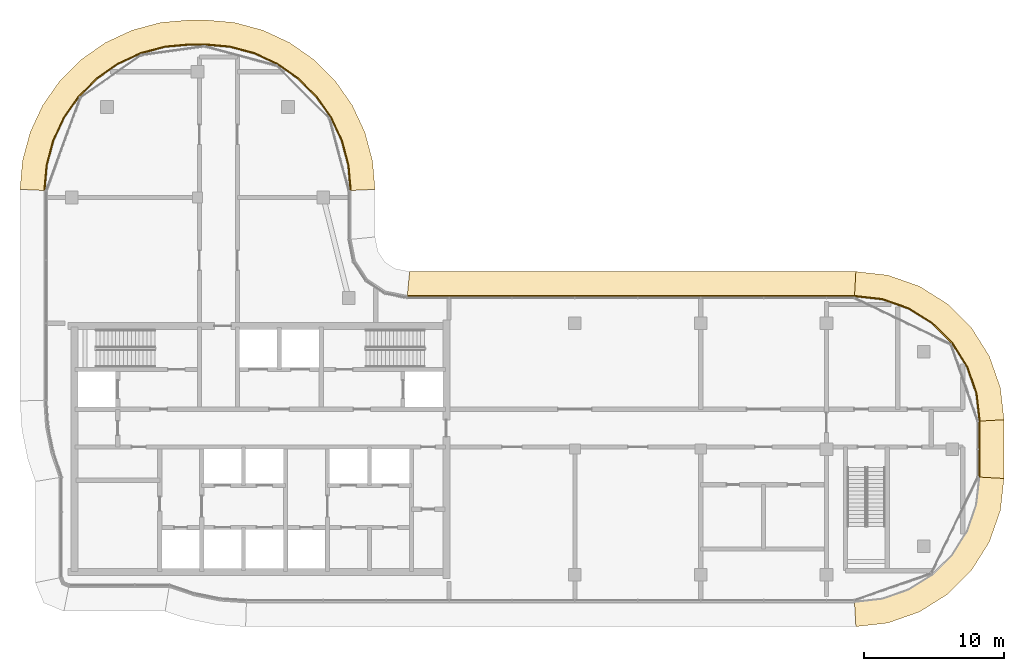
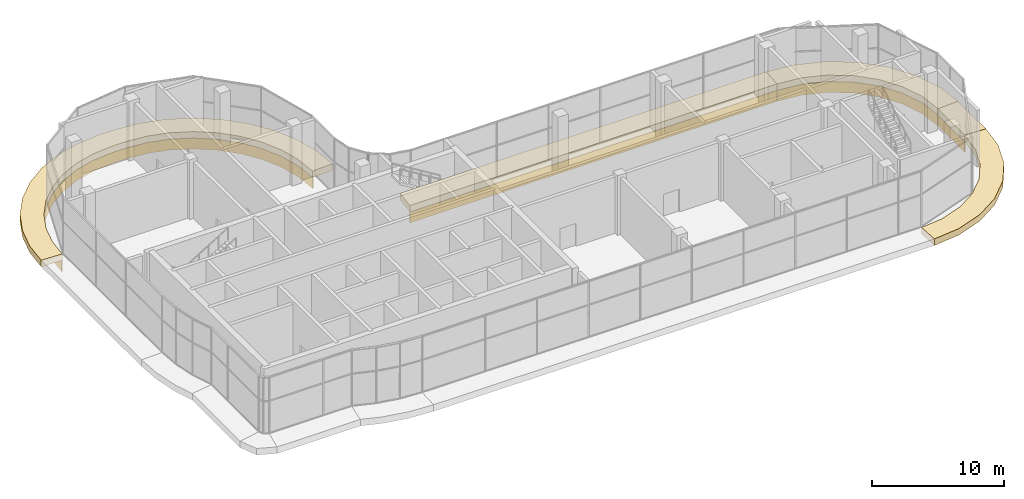
# One storey, part 23 of 23: 9 coverings.
"""IFC4 building model written with IfcOpenShell, lengths in metres."""

from ifc_helpers import new_model, si_unit, direction, frame, origin, place, context, subcontext, project, spatial, polyline, outline, extrude, material, layer, layer_set, type_object, element, save


model = new_model("IFC4")

# Units and contexts
model_context = context("Model", 3, precision=1e-05, world=origin(), true_north=direction((0.0, 1.0)))
body_context = subcontext(model_context, "Body", "Model", "MODEL_VIEW")
ifc_project = project(units=[si_unit("LENGTHUNIT", "METRE"), si_unit("AREAUNIT", "SQUARE_METRE"), si_unit("VOLUMEUNIT", "CUBIC_METRE"), si_unit("PLANEANGLEUNIT", "RADIAN"), si_unit("MASSUNIT", "GRAM", prefix="KILO")], contexts=[model_context])

# Site, building, storey
site_placement = place(None, origin())
site = spatial("IfcSite", under=ifc_project, at=site_placement, CompositionType="ELEMENT")
building_placement = place(site_placement, origin())
building = spatial("IfcBuilding", under=site, at=building_placement, Name="Ogive Portal Towers", CompositionType="ELEMENT")
storey_placement = place(building_placement, frame((0.0, 0.0, 249.39990234375)))
storey = spatial("IfcBuildingStorey", under=building, at=storey_placement, Name="L62", CompositionType="ELEMENT", Elevation=249.39990234375)

# Coverings
ifc_material = material(Name="Limestone cladding on lightweight block wall", Category="masonry")
ifc_layer_1 = layer(ifc_material, 0.080078125)
ifc_layer_set_1 = layer_set([ifc_layer_1], Name="STONE SPANDREL 80")
covering_type_1 = type_object("IfcCoveringType", Name="STONE SPANDREL 80", PredefinedType="CLADDING", material=ifc_layer_set_1)
covering_1_placement = place(storey_placement, frame((0.0, 0.0, -1.599853515625)))
element("IfcCovering", 1, at=covering_1_placement, inside=storey, type_object=covering_type_1, Name="Stone spandrel A1-F07", PredefinedType="CLADDING", context=body_context, shape_type="SweptSolid", body=[
    extrude(outline(polyline([(96.39990234375, 28.5), (96.39990234375, 32.5), (96.47998046875, 32.50439453125), (96.47998046875, 28.49560546875), (96.39990234375, 28.5)])), origin(), (0.0, 0.0, 1.0), 1.0),
])
covering_2_placement = place(storey_placement, frame((0.0, 0.0, -1.599853515625)))
element("IfcCovering", 2, at=covering_2_placement, inside=storey, type_object=covering_type_1, Name="Stone spandrel A1-F08", PredefinedType="CLADDING", context=body_context, shape_type="SweptSolid", body=[
    extrude(outline(polyline([(96.39990234375, 32.5), (96.1767578125, 34.48046875), (95.5185546875, 36.361572265625), (94.458251953125, 38.049072265625), (93.049072265625, 39.458251953125), (91.361572265625, 40.5185546875), (89.48046875, 41.1767578125), (87.5, 41.39990234375), (87.50439453125, 41.47998046875), (89.498291015625, 41.25537109375), (91.396484375, 40.591064453125), (93.099365234375, 39.521240234375), (94.521240234375, 38.099365234375), (95.591064453125, 36.396484375), (96.25537109375, 34.498291015625), (96.47998046875, 32.50439453125), (96.39990234375, 32.5)])), origin(), (0.0, 0.0, 1.0), 1.0),
])
covering_3_placement = place(storey_placement, frame((0.0, 0.0, -1.599853515625)))
element("IfcCovering", 3, at=covering_3_placement, inside=storey, type_object=covering_type_1, Name="Stone spandrel A1-F09", PredefinedType="CLADDING", context=body_context, shape_type="SweptSolid", body=[
    extrude(outline(polyline([(87.5, 41.39990234375), (55.5, 41.39990234375), (55.5078125, 41.47998046875), (87.50439453125, 41.47998046875), (87.5, 41.39990234375)])), origin(), (0.0, 0.0, 1.0), 1.0),
])
covering_4_placement = place(storey_placement, frame((0.0, 0.0, -1.599853515625)))
element("IfcCovering", 4, at=covering_4_placement, inside=storey, type_object=covering_type_1, Name="Stone spandrel A1-F12", PredefinedType="CLADDING", context=body_context, shape_type="SweptSolid", body=[
    extrude(outline(polyline([(51.39990234375, 49.0), (51.241943359375, 50.805908203125), (50.772705078125, 52.55712890625), (50.006591796875, 54.199951171875), (48.966796875, 55.68505859375), (47.68505859375, 56.966796875), (46.199951171875, 58.006591796875), (44.55712890625, 58.772705078125), (42.805908203125, 59.241943359375), (41.0, 59.39990234375), (40.0, 59.39990234375), (38.194091796875, 59.241943359375), (36.44287109375, 58.772705078125), (34.800048828125, 58.006591796875), (33.31494140625, 56.966796875), (32.033203125, 55.68505859375), (30.993408203125, 54.199951171875), (30.227294921875, 52.55712890625), (29.758056640625, 50.805908203125), (29.60009765625, 49.0), (29.52001953125, 49.00341796875), (29.678955078125, 50.81982421875), (30.15185546875, 52.58447265625), (30.923828125, 54.240234375), (31.9716796875, 55.736572265625), (33.263427734375, 57.0283203125), (34.759765625, 58.076171875), (36.41552734375, 58.84814453125), (38.18017578125, 59.321044921875), (39.99658203125, 59.47998046875), (41.00341796875, 59.47998046875), (42.81982421875, 59.321044921875), (44.58447265625, 58.84814453125), (46.240234375, 58.076171875), (47.736572265625, 57.0283203125), (49.0283203125, 55.736572265625), (50.076171875, 54.240234375), (50.84814453125, 52.58447265625), (51.321044921875, 50.81982421875), (51.47998046875, 49.00341796875), (51.39990234375, 49.0)])), origin(), (0.0, 0.0, 1.0), 1.0),
])
ifc_layer_2 = layer(ifc_material, 0.60009765625)
ifc_layer_set_2 = layer_set([ifc_layer_2], Name="SUNSHADE LIP 600")
covering_type_2 = type_object("IfcCoveringType", Name="SUNSHADE LIP 600", PredefinedType="CLADDING", material=ifc_layer_set_2)
covering_5_placement = place(storey_placement, frame((0.0, 0.0, -0.599853515625)))
element("IfcCovering", 5, at=covering_5_placement, inside=storey, type_object=covering_type_2, Name="Sunshade lip A1-F06", PredefinedType="CLADDING", context=body_context, shape_type="SweptSolid", body=[
    extrude(outline(polyline([(87.5, 19.60009765625), (89.48046875, 19.8232421875), (91.361572265625, 20.4814453125), (93.049072265625, 21.541748046875), (94.458251953125, 22.950927734375), (95.5185546875, 24.638427734375), (96.1767578125, 26.51953125), (96.39990234375, 28.5), (98.199951171875, 28.39892578125), (97.94287109375, 26.116455078125), (97.150634765625, 23.8525390625), (95.87451171875, 21.821533203125), (94.178466796875, 20.12548828125), (92.1474609375, 18.849365234375), (89.883544921875, 18.05712890625), (87.60107421875, 17.800048828125), (87.5, 19.60009765625)])), origin(), (0.0, 0.0, 1.0), 0.599853515625),
])
covering_6_placement = place(storey_placement, frame((0.0, 0.0, -0.599853515625)))
element("IfcCovering", 6, at=covering_6_placement, inside=storey, type_object=covering_type_2, Name="Sunshade lip A1-F07", PredefinedType="CLADDING", context=body_context, shape_type="SweptSolid", body=[
    extrude(outline(polyline([(96.39990234375, 28.5), (96.39990234375, 32.5), (98.199951171875, 32.60107421875), (98.199951171875, 28.39892578125), (96.39990234375, 28.5)])), origin(), (0.0, 0.0, 1.0), 0.599853515625),
])
covering_7_placement = place(storey_placement, frame((0.0, 0.0, -0.599853515625)))
element("IfcCovering", 7, at=covering_7_placement, inside=storey, type_object=covering_type_2, Name="Sunshade lip A1-F08", PredefinedType="CLADDING", context=body_context, shape_type="SweptSolid", body=[
    extrude(outline(polyline([(96.39990234375, 32.5), (96.1767578125, 34.48046875), (95.5185546875, 36.361572265625), (94.458251953125, 38.049072265625), (93.049072265625, 39.458251953125), (91.361572265625, 40.5185546875), (89.48046875, 41.1767578125), (87.5, 41.39990234375), (87.60107421875, 43.199951171875), (89.883544921875, 42.94287109375), (92.1474609375, 42.150634765625), (94.178466796875, 40.87451171875), (95.87451171875, 39.178466796875), (97.150634765625, 37.1474609375), (97.94287109375, 34.883544921875), (98.199951171875, 32.60107421875), (96.39990234375, 32.5)])), origin(), (0.0, 0.0, 1.0), 0.599853515625),
])
covering_8_placement = place(storey_placement, frame((0.0, 0.0, -0.599853515625)))
element("IfcCovering", 8, at=covering_8_placement, inside=storey, type_object=covering_type_2, Name="Sunshade lip A1-F09", PredefinedType="CLADDING", context=body_context, shape_type="SweptSolid", body=[
    extrude(outline(polyline([(87.5, 41.39990234375), (55.5, 41.39990234375), (55.67724609375, 43.199951171875), (87.60107421875, 43.199951171875), (87.5, 41.39990234375)])), origin(), (0.0, 0.0, 1.0), 0.599853515625),
])
covering_9_placement = place(storey_placement, frame((0.0, 0.0, -0.599853515625)))
element("IfcCovering", 9, at=covering_9_placement, inside=storey, type_object=covering_type_2, Name="Sunshade lip A1-F12", PredefinedType="CLADDING", context=body_context, shape_type="SweptSolid", body=[
    extrude(outline(polyline([(51.39990234375, 49.0), (51.241943359375, 50.805908203125), (50.772705078125, 52.55712890625), (50.006591796875, 54.199951171875), (48.966796875, 55.68505859375), (47.68505859375, 56.966796875), (46.199951171875, 58.006591796875), (44.55712890625, 58.772705078125), (42.805908203125, 59.241943359375), (41.0, 59.39990234375), (40.0, 59.39990234375), (38.194091796875, 59.241943359375), (36.44287109375, 58.772705078125), (34.800048828125, 58.006591796875), (33.31494140625, 56.966796875), (32.033203125, 55.68505859375), (30.993408203125, 54.199951171875), (30.227294921875, 52.55712890625), (29.758056640625, 50.805908203125), (29.60009765625, 49.0), (27.800048828125, 49.07861328125), (27.978515625, 51.11962890625), (28.529296875, 53.175048828125), (29.428466796875, 55.103515625), (30.64892578125, 56.846435546875), (32.153564453125, 58.35107421875), (33.896484375, 59.571533203125), (35.824951171875, 60.470703125), (37.88037109375, 61.021484375), (39.92138671875, 61.199951171875), (41.07861328125, 61.199951171875), (43.11962890625, 61.021484375), (45.175048828125, 60.470703125), (47.103515625, 59.571533203125), (48.846435546875, 58.35107421875), (50.35107421875, 56.846435546875), (51.571533203125, 55.103515625), (52.470703125, 53.175048828125), (53.021484375, 51.11962890625), (53.199951171875, 49.07861328125), (51.39990234375, 49.0)])), origin(), (0.0, 0.0, 1.0), 0.599853515625),
])

save(model, "model.ifc")
